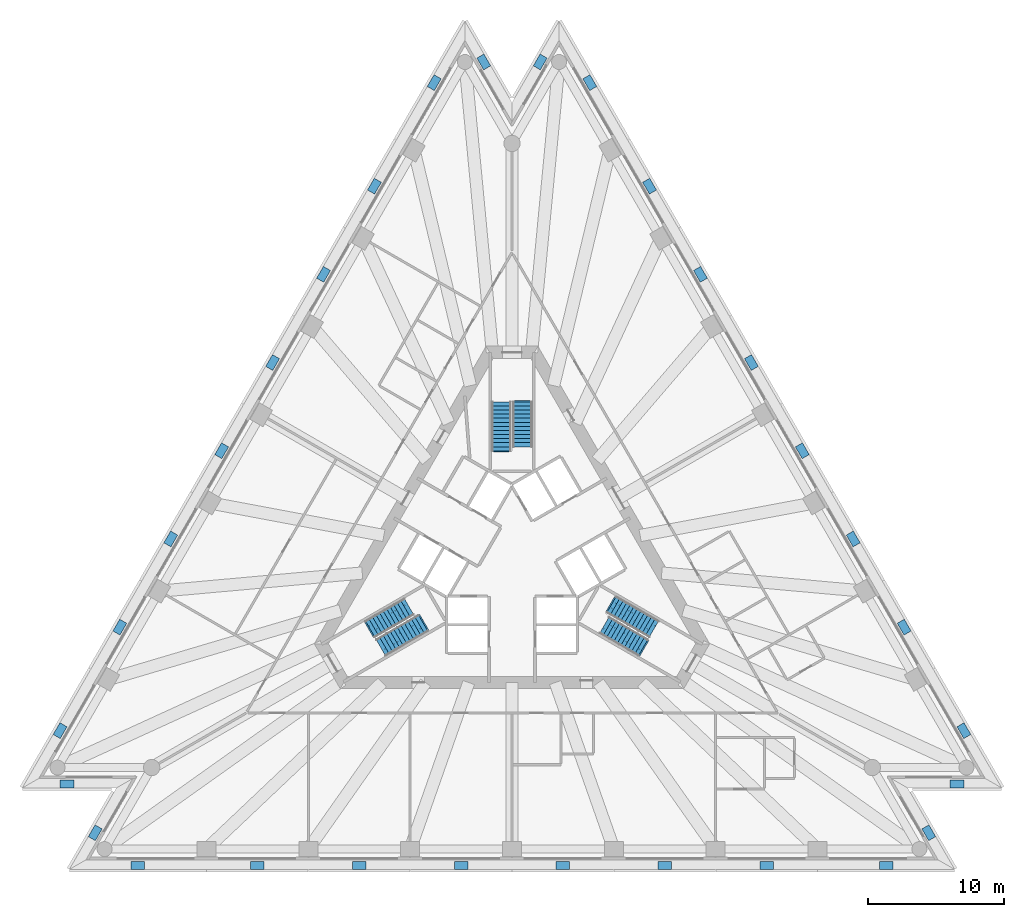
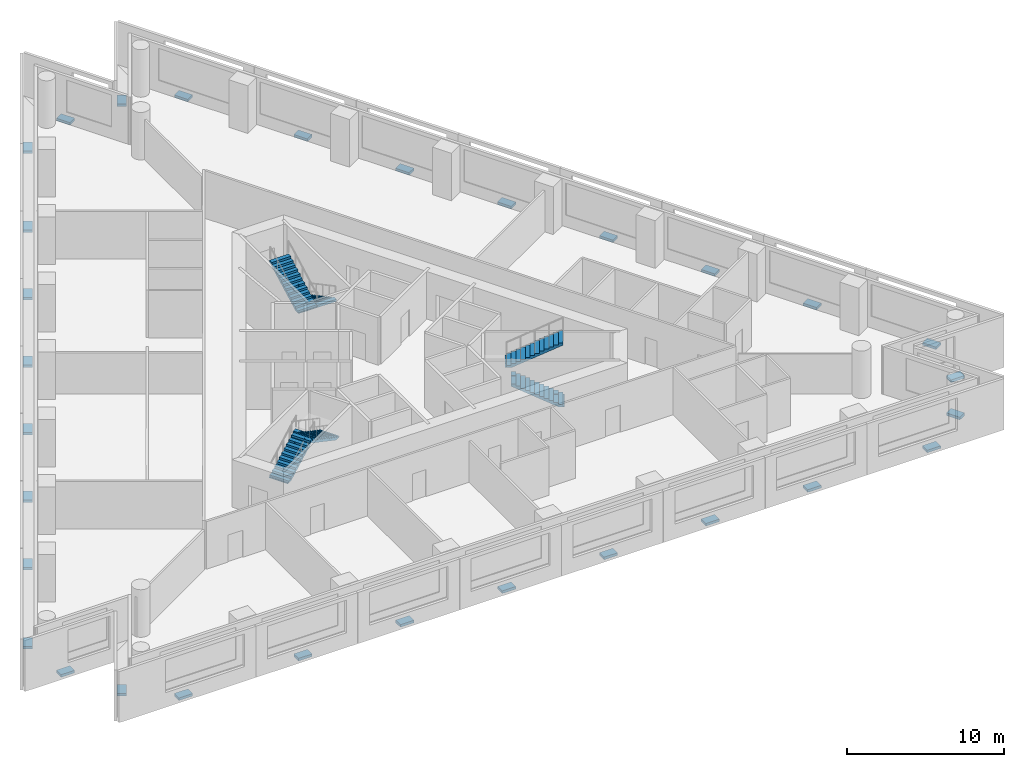
# One storey, part 7 of 9: 30 discrete accessories, 6 stair flights, 3 elements without a shape of their own.
"""IFC4 building model written with IfcOpenShell, lengths in metres."""

from ifc_helpers import new_model, si_unit, direction, frame, origin, origin_2d, place, context, subcontext, project, spatial, polyline, rectangle, outline, extrude, material, type_object, element, aggregate, save


model = new_model("IFC4")

# Units and contexts
model_context = context("Model", 3, precision=1e-05, world=origin(), true_north=direction((0.0, 1.0)))
body_context = subcontext(model_context, "Body", "Model", "MODEL_VIEW")
ifc_project = project(units=[si_unit("LENGTHUNIT", "METRE"), si_unit("AREAUNIT", "SQUARE_METRE"), si_unit("VOLUMEUNIT", "CUBIC_METRE"), si_unit("PLANEANGLEUNIT", "RADIAN"), si_unit("MASSUNIT", "GRAM", prefix="KILO")], contexts=[model_context])

# Site, building, storey
site_placement = place(None, origin())
site = spatial("IfcSite", under=ifc_project, at=site_placement, CompositionType="ELEMENT")
building_placement = place(site_placement, origin())
building = spatial("IfcBuilding", under=site, at=building_placement, Name="Triada Interchange Tower", CompositionType="ELEMENT")
storey_placement = place(building_placement, frame((0.0, 0.0, 47.300048828125)))
storey = spatial("IfcBuildingStorey", under=building, at=storey_placement, Name="L09", CompositionType="ELEMENT", Elevation=47.300048828125)

# Stair, stair flights
ifc_material_1 = material(Name="Concrete C35/45", Category="concrete")
stair_type = type_object("IfcStairType", Name="HALF TURN STAIR 1400", PredefinedType="HALF_TURN_STAIR", material=ifc_material_1)
stair_1_placement = place(storey_placement, origin())
stair_1 = element("IfcStair", 1, at=stair_1_placement, inside=storey, type_object=stair_type, Name="Exit stair S09-1", PredefinedType="HALF_TURN_STAIR")
stair_flight_type = type_object("IfcStairFlightType", Name="STRAIGHT STAIR FLIGHT 1400", PredefinedType="STRAIGHT", material=ifc_material_1)
stair_flight_1_placement = place(storey_placement, frame((0.800048828125, 11.60009765625, 0.0), z_axis=(0.0, 0.0, 1.0), x_axis=(0.0, -1.0, 0.0)))
stair_flight_1 = element("IfcStairFlight", 2, at=stair_flight_1_placement, type_object=stair_flight_type, Name="S09-1 flight 1", NumberOfRisers=12, NumberOfTreads=11, PredefinedType="STRAIGHT", RiserHeight=0.16, TreadLength=0.3, context=body_context, shape_type="SweptSolid", body=[
    extrude(outline(polyline([(-0.10009765625, 0.0), (-0.10009765625, 0.02001953125), (0.0, 0.02001953125), (0.0, 0.159912109375), (0.300048828125, 0.159912109375), (0.300048828125, 0.320068359375), (0.60009765625, 0.320068359375), (0.60009765625, 0.47998046875), (0.89990234375, 0.47998046875), (0.89990234375, 0.639892578125), (1.199951171875, 0.639892578125), (1.199951171875, 0.800048828125), (1.5, 0.800048828125), (1.5, 0.9599609375), (1.800048828125, 0.9599609375), (1.800048828125, 1.1201171875), (2.10009765625, 1.1201171875), (2.10009765625, 1.280029296875), (2.39990234375, 1.280029296875), (2.39990234375, 1.43994140625), (2.699951171875, 1.43994140625), (2.699951171875, 1.60009765625), (3.0, 1.60009765625), (3.0, 1.760009765625), (3.300048828125, 1.760009765625), (3.303955078125, 1.760009765625), (3.303955078125, 1.919921875), (3.303955078125, 1.590087890625), (0.318603515625, 0.0), (-0.10009765625, 0.0)])), frame((0.0, 0.699951171875, 0.0), z_axis=(0.0, -1.0, 0.0), x_axis=(1.0, 0.0, 0.0)), (0.0, 0.0, 1.0), 0.46533203125),
    extrude(outline(polyline([(-0.10009765625, 0.0), (-0.10009765625, 0.02001953125), (0.0, 0.02001953125), (0.0, 0.159912109375), (0.300048828125, 0.159912109375), (0.300048828125, 0.320068359375), (0.60009765625, 0.320068359375), (0.60009765625, 0.47998046875), (0.89990234375, 0.47998046875), (0.89990234375, 0.639892578125), (1.199951171875, 0.639892578125), (1.199951171875, 0.800048828125), (1.5, 0.800048828125), (1.5, 0.9599609375), (1.800048828125, 0.9599609375), (1.800048828125, 1.1201171875), (2.10009765625, 1.1201171875), (2.10009765625, 1.280029296875), (2.39990234375, 1.280029296875), (2.39990234375, 1.43994140625), (2.699951171875, 1.43994140625), (2.699951171875, 1.60009765625), (3.0, 1.60009765625), (3.0, 1.760009765625), (3.300048828125, 1.760009765625), (3.303955078125, 1.760009765625), (3.303955078125, 1.919921875), (3.303955078125, 1.590087890625), (0.318603515625, 0.0), (-0.10009765625, 0.0)])), frame((0.0, 0.232666015625, 0.0), z_axis=(0.0, -1.0, 0.0), x_axis=(1.0, 0.0, 0.0)), (0.0, 0.0, 1.0), 0.46533203125),
    extrude(outline(polyline([(-0.10009765625, 0.0), (-0.10009765625, 0.02001953125), (0.0, 0.02001953125), (0.0, 0.159912109375), (0.300048828125, 0.159912109375), (0.300048828125, 0.320068359375), (0.60009765625, 0.320068359375), (0.60009765625, 0.47998046875), (0.89990234375, 0.47998046875), (0.89990234375, 0.639892578125), (1.199951171875, 0.639892578125), (1.199951171875, 0.800048828125), (1.5, 0.800048828125), (1.5, 0.9599609375), (1.800048828125, 0.9599609375), (1.800048828125, 1.1201171875), (2.10009765625, 1.1201171875), (2.10009765625, 1.280029296875), (2.39990234375, 1.280029296875), (2.39990234375, 1.43994140625), (2.699951171875, 1.43994140625), (2.699951171875, 1.60009765625), (3.0, 1.60009765625), (3.0, 1.760009765625), (3.300048828125, 1.760009765625), (3.303955078125, 1.760009765625), (3.303955078125, 1.919921875), (3.303955078125, 1.590087890625), (0.318603515625, 0.0), (-0.10009765625, 0.0)])), frame((0.0, -0.234619140625, 0.0), z_axis=(0.0, -1.0, 0.0), x_axis=(1.0, 0.0, 0.0)), (0.0, 0.0, 1.0), 0.46533203125),
])
stair_flight_2_placement = place(storey_placement, frame((-0.800048828125, 8.0, 1.919921875), z_axis=(0.0, 0.0, 1.0), x_axis=(0.0, 1.0, 0.0)))
stair_flight_2 = element("IfcStairFlight", 3, at=stair_flight_2_placement, type_object=stair_flight_type, Name="S09-1 flight 2", NumberOfRisers=13, NumberOfTreads=12, PredefinedType="STRAIGHT", RiserHeight=0.16, TreadLength=0.3, context=body_context, shape_type="SweptSolid", body=[
    extrude(outline(polyline([(-0.10009765625, 0.0), (-0.10009765625, 0.02001953125), (0.0, 0.02001953125), (0.0, 0.159912109375), (0.300048828125, 0.159912109375), (0.300048828125, 0.320068359375), (0.60009765625, 0.320068359375), (0.60009765625, 0.47998046875), (0.89990234375, 0.47998046875), (0.89990234375, 0.639892578125), (1.199951171875, 0.639892578125), (1.199951171875, 0.800048828125), (1.5, 0.800048828125), (1.5, 0.9599609375), (1.800048828125, 0.9599609375), (1.800048828125, 1.1201171875), (2.10009765625, 1.1201171875), (2.10009765625, 1.280029296875), (2.39990234375, 1.280029296875), (2.39990234375, 1.43994140625), (2.699951171875, 1.43994140625), (2.699951171875, 1.60009765625), (3.0, 1.60009765625), (3.0, 1.760009765625), (3.300048828125, 1.760009765625), (3.300048828125, 1.919921875), (3.60009765625, 1.919921875), (3.60400390625, 1.919921875), (3.60400390625, 2.080078125), (3.60400390625, 1.75), (0.318603515625, 0.0), (-0.10009765625, 0.0)])), frame((0.0, 0.699951171875, 0.0), z_axis=(0.0, -1.0, 0.0), x_axis=(1.0, 0.0, 0.0)), (0.0, 0.0, 1.0), 0.46533203125),
    extrude(outline(polyline([(-0.10009765625, 0.0), (-0.10009765625, 0.02001953125), (0.0, 0.02001953125), (0.0, 0.159912109375), (0.300048828125, 0.159912109375), (0.300048828125, 0.320068359375), (0.60009765625, 0.320068359375), (0.60009765625, 0.47998046875), (0.89990234375, 0.47998046875), (0.89990234375, 0.639892578125), (1.199951171875, 0.639892578125), (1.199951171875, 0.800048828125), (1.5, 0.800048828125), (1.5, 0.9599609375), (1.800048828125, 0.9599609375), (1.800048828125, 1.1201171875), (2.10009765625, 1.1201171875), (2.10009765625, 1.280029296875), (2.39990234375, 1.280029296875), (2.39990234375, 1.43994140625), (2.699951171875, 1.43994140625), (2.699951171875, 1.60009765625), (3.0, 1.60009765625), (3.0, 1.760009765625), (3.300048828125, 1.760009765625), (3.300048828125, 1.919921875), (3.60009765625, 1.919921875), (3.60400390625, 1.919921875), (3.60400390625, 2.080078125), (3.60400390625, 1.75), (0.318603515625, 0.0), (-0.10009765625, 0.0)])), frame((0.0, 0.232666015625, 0.0), z_axis=(0.0, -1.0, 0.0), x_axis=(1.0, 0.0, 0.0)), (0.0, 0.0, 1.0), 0.46533203125),
    extrude(outline(polyline([(-0.10009765625, 0.0), (-0.10009765625, 0.02001953125), (0.0, 0.02001953125), (0.0, 0.159912109375), (0.300048828125, 0.159912109375), (0.300048828125, 0.320068359375), (0.60009765625, 0.320068359375), (0.60009765625, 0.47998046875), (0.89990234375, 0.47998046875), (0.89990234375, 0.639892578125), (1.199951171875, 0.639892578125), (1.199951171875, 0.800048828125), (1.5, 0.800048828125), (1.5, 0.9599609375), (1.800048828125, 0.9599609375), (1.800048828125, 1.1201171875), (2.10009765625, 1.1201171875), (2.10009765625, 1.280029296875), (2.39990234375, 1.280029296875), (2.39990234375, 1.43994140625), (2.699951171875, 1.43994140625), (2.699951171875, 1.60009765625), (3.0, 1.60009765625), (3.0, 1.760009765625), (3.300048828125, 1.760009765625), (3.300048828125, 1.919921875), (3.60009765625, 1.919921875), (3.60400390625, 1.919921875), (3.60400390625, 2.080078125), (3.60400390625, 1.75), (0.318603515625, 0.0), (-0.10009765625, 0.0)])), frame((0.0, -0.234619140625, 0.0), z_axis=(0.0, -1.0, 0.0), x_axis=(1.0, 0.0, 0.0)), (0.0, 0.0, 1.0), 0.46533203125),
])
aggregate(stair_1, [stair_flight_1, stair_flight_2])

stair_2_placement = place(storey_placement, origin())
stair_2 = element("IfcStair", 4, at=stair_2_placement, inside=storey, type_object=stair_type, Name="Exit stair S09-2", PredefinedType="HALF_TURN_STAIR")
stair_flight_3_placement = place(storey_placement, frame((-10.446044921875, -5.10693359375, 0.0), z_axis=(0.0, 0.0, 1.0), x_axis=(0.866025403784, 0.5, 0.0)))
stair_flight_3 = element("IfcStairFlight", 5, at=stair_flight_3_placement, type_object=stair_flight_type, Name="S09-2 flight 1", NumberOfRisers=12, NumberOfTreads=11, PredefinedType="STRAIGHT", RiserHeight=0.16, TreadLength=0.3, context=body_context, shape_type="SweptSolid", body=[
    extrude(outline(polyline([(-0.10009765625, 0.0), (-0.10009765625, 0.02001953125), (0.0, 0.02001953125), (0.0, 0.159912109375), (0.300048828125, 0.159912109375), (0.300048828125, 0.320068359375), (0.60009765625, 0.320068359375), (0.60009765625, 0.47998046875), (0.89990234375, 0.47998046875), (0.89990234375, 0.639892578125), (1.199951171875, 0.639892578125), (1.199951171875, 0.800048828125), (1.5, 0.800048828125), (1.5, 0.9599609375), (1.800048828125, 0.9599609375), (1.800048828125, 1.1201171875), (2.10009765625, 1.1201171875), (2.10009765625, 1.280029296875), (2.39990234375, 1.280029296875), (2.39990234375, 1.43994140625), (2.699951171875, 1.43994140625), (2.699951171875, 1.60009765625), (3.0, 1.60009765625), (3.0, 1.760009765625), (3.300048828125, 1.760009765625), (3.303955078125, 1.760009765625), (3.303955078125, 1.919921875), (3.303955078125, 1.590087890625), (0.318603515625, 0.0), (-0.10009765625, 0.0)])), frame((0.0, 0.699951171875, 0.0), z_axis=(0.0, -1.0, 0.0), x_axis=(1.0, 0.0, 0.0)), (0.0, 0.0, 1.0), 0.46533203125),
    extrude(outline(polyline([(-0.10009765625, 0.0), (-0.10009765625, 0.02001953125), (0.0, 0.02001953125), (0.0, 0.159912109375), (0.300048828125, 0.159912109375), (0.300048828125, 0.320068359375), (0.60009765625, 0.320068359375), (0.60009765625, 0.47998046875), (0.89990234375, 0.47998046875), (0.89990234375, 0.639892578125), (1.199951171875, 0.639892578125), (1.199951171875, 0.800048828125), (1.5, 0.800048828125), (1.5, 0.9599609375), (1.800048828125, 0.9599609375), (1.800048828125, 1.1201171875), (2.10009765625, 1.1201171875), (2.10009765625, 1.280029296875), (2.39990234375, 1.280029296875), (2.39990234375, 1.43994140625), (2.699951171875, 1.43994140625), (2.699951171875, 1.60009765625), (3.0, 1.60009765625), (3.0, 1.760009765625), (3.300048828125, 1.760009765625), (3.303955078125, 1.760009765625), (3.303955078125, 1.919921875), (3.303955078125, 1.590087890625), (0.318603515625, 0.0), (-0.10009765625, 0.0)])), frame((0.0, 0.232666015625, 0.0), z_axis=(0.0, -1.0, 0.0), x_axis=(1.0, 0.0, 0.0)), (0.0, 0.0, 1.0), 0.46533203125),
    extrude(outline(polyline([(-0.10009765625, 0.0), (-0.10009765625, 0.02001953125), (0.0, 0.02001953125), (0.0, 0.159912109375), (0.300048828125, 0.159912109375), (0.300048828125, 0.320068359375), (0.60009765625, 0.320068359375), (0.60009765625, 0.47998046875), (0.89990234375, 0.47998046875), (0.89990234375, 0.639892578125), (1.199951171875, 0.639892578125), (1.199951171875, 0.800048828125), (1.5, 0.800048828125), (1.5, 0.9599609375), (1.800048828125, 0.9599609375), (1.800048828125, 1.1201171875), (2.10009765625, 1.1201171875), (2.10009765625, 1.280029296875), (2.39990234375, 1.280029296875), (2.39990234375, 1.43994140625), (2.699951171875, 1.43994140625), (2.699951171875, 1.60009765625), (3.0, 1.60009765625), (3.0, 1.760009765625), (3.300048828125, 1.760009765625), (3.303955078125, 1.760009765625), (3.303955078125, 1.919921875), (3.303955078125, 1.590087890625), (0.318603515625, 0.0), (-0.10009765625, 0.0)])), frame((0.0, -0.234619140625, 0.0), z_axis=(0.0, -1.0, 0.0), x_axis=(1.0, 0.0, 0.0)), (0.0, 0.0, 1.0), 0.46533203125),
])
stair_flight_4_placement = place(storey_placement, frame((-6.528076171875, -4.693115234375, 1.919921875), z_axis=(0.0, 0.0, 1.0), x_axis=(-0.866025403784, -0.5, 0.0)))
stair_flight_4 = element("IfcStairFlight", 6, at=stair_flight_4_placement, type_object=stair_flight_type, Name="S09-2 flight 2", NumberOfRisers=13, NumberOfTreads=12, PredefinedType="STRAIGHT", RiserHeight=0.16, TreadLength=0.3, context=body_context, shape_type="SweptSolid", body=[
    extrude(outline(polyline([(-0.10009765625, 0.0), (-0.10009765625, 0.02001953125), (0.0, 0.02001953125), (0.0, 0.159912109375), (0.300048828125, 0.159912109375), (0.300048828125, 0.320068359375), (0.60009765625, 0.320068359375), (0.60009765625, 0.47998046875), (0.89990234375, 0.47998046875), (0.89990234375, 0.639892578125), (1.199951171875, 0.639892578125), (1.199951171875, 0.800048828125), (1.5, 0.800048828125), (1.5, 0.9599609375), (1.800048828125, 0.9599609375), (1.800048828125, 1.1201171875), (2.10009765625, 1.1201171875), (2.10009765625, 1.280029296875), (2.39990234375, 1.280029296875), (2.39990234375, 1.43994140625), (2.699951171875, 1.43994140625), (2.699951171875, 1.60009765625), (3.0, 1.60009765625), (3.0, 1.760009765625), (3.300048828125, 1.760009765625), (3.300048828125, 1.919921875), (3.60009765625, 1.919921875), (3.60400390625, 1.919921875), (3.60400390625, 2.080078125), (3.60400390625, 1.75), (0.318603515625, 0.0), (-0.10009765625, 0.0)])), frame((0.0, 0.699951171875, 0.0), z_axis=(0.0, -1.0, 0.0), x_axis=(1.0, 0.0, 0.0)), (0.0, 0.0, 1.0), 0.46533203125),
    extrude(outline(polyline([(-0.10009765625, 0.0), (-0.10009765625, 0.02001953125), (0.0, 0.02001953125), (0.0, 0.159912109375), (0.300048828125, 0.159912109375), (0.300048828125, 0.320068359375), (0.60009765625, 0.320068359375), (0.60009765625, 0.47998046875), (0.89990234375, 0.47998046875), (0.89990234375, 0.639892578125), (1.199951171875, 0.639892578125), (1.199951171875, 0.800048828125), (1.5, 0.800048828125), (1.5, 0.9599609375), (1.800048828125, 0.9599609375), (1.800048828125, 1.1201171875), (2.10009765625, 1.1201171875), (2.10009765625, 1.280029296875), (2.39990234375, 1.280029296875), (2.39990234375, 1.43994140625), (2.699951171875, 1.43994140625), (2.699951171875, 1.60009765625), (3.0, 1.60009765625), (3.0, 1.760009765625), (3.300048828125, 1.760009765625), (3.300048828125, 1.919921875), (3.60009765625, 1.919921875), (3.60400390625, 1.919921875), (3.60400390625, 2.080078125), (3.60400390625, 1.75), (0.318603515625, 0.0), (-0.10009765625, 0.0)])), frame((0.0, 0.232666015625, 0.0), z_axis=(0.0, -1.0, 0.0), x_axis=(1.0, 0.0, 0.0)), (0.0, 0.0, 1.0), 0.46533203125),
    extrude(outline(polyline([(-0.10009765625, 0.0), (-0.10009765625, 0.02001953125), (0.0, 0.02001953125), (0.0, 0.159912109375), (0.300048828125, 0.159912109375), (0.300048828125, 0.320068359375), (0.60009765625, 0.320068359375), (0.60009765625, 0.47998046875), (0.89990234375, 0.47998046875), (0.89990234375, 0.639892578125), (1.199951171875, 0.639892578125), (1.199951171875, 0.800048828125), (1.5, 0.800048828125), (1.5, 0.9599609375), (1.800048828125, 0.9599609375), (1.800048828125, 1.1201171875), (2.10009765625, 1.1201171875), (2.10009765625, 1.280029296875), (2.39990234375, 1.280029296875), (2.39990234375, 1.43994140625), (2.699951171875, 1.43994140625), (2.699951171875, 1.60009765625), (3.0, 1.60009765625), (3.0, 1.760009765625), (3.300048828125, 1.760009765625), (3.300048828125, 1.919921875), (3.60009765625, 1.919921875), (3.60400390625, 1.919921875), (3.60400390625, 2.080078125), (3.60400390625, 1.75), (0.318603515625, 0.0), (-0.10009765625, 0.0)])), frame((0.0, -0.234619140625, 0.0), z_axis=(0.0, -1.0, 0.0), x_axis=(1.0, 0.0, 0.0)), (0.0, 0.0, 1.0), 0.46533203125),
])
aggregate(stair_2, [stair_flight_3, stair_flight_4])

stair_3_placement = place(storey_placement, origin())
stair_3 = element("IfcStair", 7, at=stair_3_placement, inside=storey, type_object=stair_type, Name="Exit stair S09-3", PredefinedType="HALF_TURN_STAIR")
stair_flight_5_placement = place(storey_placement, frame((9.64599609375, -6.492919921875, 0.0), z_axis=(0.0, 0.0, 1.0), x_axis=(-0.866025403784, 0.5, 0.0)))
stair_flight_5 = element("IfcStairFlight", 8, at=stair_flight_5_placement, type_object=stair_flight_type, Name="S09-3 flight 1", NumberOfRisers=12, NumberOfTreads=11, PredefinedType="STRAIGHT", RiserHeight=0.16, TreadLength=0.3, context=body_context, shape_type="SweptSolid", body=[
    extrude(outline(polyline([(-0.10009765625, 0.0), (-0.10009765625, 0.02001953125), (0.0, 0.02001953125), (0.0, 0.159912109375), (0.300048828125, 0.159912109375), (0.300048828125, 0.320068359375), (0.60009765625, 0.320068359375), (0.60009765625, 0.47998046875), (0.89990234375, 0.47998046875), (0.89990234375, 0.639892578125), (1.199951171875, 0.639892578125), (1.199951171875, 0.800048828125), (1.5, 0.800048828125), (1.5, 0.9599609375), (1.800048828125, 0.9599609375), (1.800048828125, 1.1201171875), (2.10009765625, 1.1201171875), (2.10009765625, 1.280029296875), (2.39990234375, 1.280029296875), (2.39990234375, 1.43994140625), (2.699951171875, 1.43994140625), (2.699951171875, 1.60009765625), (3.0, 1.60009765625), (3.0, 1.760009765625), (3.300048828125, 1.760009765625), (3.303955078125, 1.760009765625), (3.303955078125, 1.919921875), (3.303955078125, 1.590087890625), (0.318603515625, 0.0), (-0.10009765625, 0.0)])), frame((0.0, 0.699951171875, 0.0), z_axis=(0.0, -1.0, 0.0), x_axis=(1.0, 0.0, 0.0)), (0.0, 0.0, 1.0), 0.46533203125),
    extrude(outline(polyline([(-0.10009765625, 0.0), (-0.10009765625, 0.02001953125), (0.0, 0.02001953125), (0.0, 0.159912109375), (0.300048828125, 0.159912109375), (0.300048828125, 0.320068359375), (0.60009765625, 0.320068359375), (0.60009765625, 0.47998046875), (0.89990234375, 0.47998046875), (0.89990234375, 0.639892578125), (1.199951171875, 0.639892578125), (1.199951171875, 0.800048828125), (1.5, 0.800048828125), (1.5, 0.9599609375), (1.800048828125, 0.9599609375), (1.800048828125, 1.1201171875), (2.10009765625, 1.1201171875), (2.10009765625, 1.280029296875), (2.39990234375, 1.280029296875), (2.39990234375, 1.43994140625), (2.699951171875, 1.43994140625), (2.699951171875, 1.60009765625), (3.0, 1.60009765625), (3.0, 1.760009765625), (3.300048828125, 1.760009765625), (3.303955078125, 1.760009765625), (3.303955078125, 1.919921875), (3.303955078125, 1.590087890625), (0.318603515625, 0.0), (-0.10009765625, 0.0)])), frame((0.0, 0.232666015625, 0.0), z_axis=(0.0, -1.0, 0.0), x_axis=(1.0, 0.0, 0.0)), (0.0, 0.0, 1.0), 0.46533203125),
    extrude(outline(polyline([(-0.10009765625, 0.0), (-0.10009765625, 0.02001953125), (0.0, 0.02001953125), (0.0, 0.159912109375), (0.300048828125, 0.159912109375), (0.300048828125, 0.320068359375), (0.60009765625, 0.320068359375), (0.60009765625, 0.47998046875), (0.89990234375, 0.47998046875), (0.89990234375, 0.639892578125), (1.199951171875, 0.639892578125), (1.199951171875, 0.800048828125), (1.5, 0.800048828125), (1.5, 0.9599609375), (1.800048828125, 0.9599609375), (1.800048828125, 1.1201171875), (2.10009765625, 1.1201171875), (2.10009765625, 1.280029296875), (2.39990234375, 1.280029296875), (2.39990234375, 1.43994140625), (2.699951171875, 1.43994140625), (2.699951171875, 1.60009765625), (3.0, 1.60009765625), (3.0, 1.760009765625), (3.300048828125, 1.760009765625), (3.303955078125, 1.760009765625), (3.303955078125, 1.919921875), (3.303955078125, 1.590087890625), (0.318603515625, 0.0), (-0.10009765625, 0.0)])), frame((0.0, -0.234619140625, 0.0), z_axis=(0.0, -1.0, 0.0), x_axis=(1.0, 0.0, 0.0)), (0.0, 0.0, 1.0), 0.46533203125),
])
stair_flight_6_placement = place(storey_placement, frame((7.327880859375, -3.306884765625, 1.919921875), z_axis=(0.0, 0.0, 1.0), x_axis=(0.866025403784, -0.5, 0.0)))
stair_flight_6 = element("IfcStairFlight", 9, at=stair_flight_6_placement, type_object=stair_flight_type, Name="S09-3 flight 2", NumberOfRisers=13, NumberOfTreads=12, PredefinedType="STRAIGHT", RiserHeight=0.16, TreadLength=0.3, context=body_context, shape_type="SweptSolid", body=[
    extrude(outline(polyline([(-0.10009765625, 0.0), (-0.10009765625, 0.02001953125), (0.0, 0.02001953125), (0.0, 0.159912109375), (0.300048828125, 0.159912109375), (0.300048828125, 0.320068359375), (0.60009765625, 0.320068359375), (0.60009765625, 0.47998046875), (0.89990234375, 0.47998046875), (0.89990234375, 0.639892578125), (1.199951171875, 0.639892578125), (1.199951171875, 0.800048828125), (1.5, 0.800048828125), (1.5, 0.9599609375), (1.800048828125, 0.9599609375), (1.800048828125, 1.1201171875), (2.10009765625, 1.1201171875), (2.10009765625, 1.280029296875), (2.39990234375, 1.280029296875), (2.39990234375, 1.43994140625), (2.699951171875, 1.43994140625), (2.699951171875, 1.60009765625), (3.0, 1.60009765625), (3.0, 1.760009765625), (3.300048828125, 1.760009765625), (3.300048828125, 1.919921875), (3.60009765625, 1.919921875), (3.60400390625, 1.919921875), (3.60400390625, 2.080078125), (3.60400390625, 1.75), (0.318603515625, 0.0), (-0.10009765625, 0.0)])), frame((0.0, 0.699951171875, 0.0), z_axis=(0.0, -1.0, 0.0), x_axis=(1.0, 0.0, 0.0)), (0.0, 0.0, 1.0), 0.46533203125),
    extrude(outline(polyline([(-0.10009765625, 0.0), (-0.10009765625, 0.02001953125), (0.0, 0.02001953125), (0.0, 0.159912109375), (0.300048828125, 0.159912109375), (0.300048828125, 0.320068359375), (0.60009765625, 0.320068359375), (0.60009765625, 0.47998046875), (0.89990234375, 0.47998046875), (0.89990234375, 0.639892578125), (1.199951171875, 0.639892578125), (1.199951171875, 0.800048828125), (1.5, 0.800048828125), (1.5, 0.9599609375), (1.800048828125, 0.9599609375), (1.800048828125, 1.1201171875), (2.10009765625, 1.1201171875), (2.10009765625, 1.280029296875), (2.39990234375, 1.280029296875), (2.39990234375, 1.43994140625), (2.699951171875, 1.43994140625), (2.699951171875, 1.60009765625), (3.0, 1.60009765625), (3.0, 1.760009765625), (3.300048828125, 1.760009765625), (3.300048828125, 1.919921875), (3.60009765625, 1.919921875), (3.60400390625, 1.919921875), (3.60400390625, 2.080078125), (3.60400390625, 1.75), (0.318603515625, 0.0), (-0.10009765625, 0.0)])), frame((0.0, 0.232666015625, 0.0), z_axis=(0.0, -1.0, 0.0), x_axis=(1.0, 0.0, 0.0)), (0.0, 0.0, 1.0), 0.46533203125),
    extrude(outline(polyline([(-0.10009765625, 0.0), (-0.10009765625, 0.02001953125), (0.0, 0.02001953125), (0.0, 0.159912109375), (0.300048828125, 0.159912109375), (0.300048828125, 0.320068359375), (0.60009765625, 0.320068359375), (0.60009765625, 0.47998046875), (0.89990234375, 0.47998046875), (0.89990234375, 0.639892578125), (1.199951171875, 0.639892578125), (1.199951171875, 0.800048828125), (1.5, 0.800048828125), (1.5, 0.9599609375), (1.800048828125, 0.9599609375), (1.800048828125, 1.1201171875), (2.10009765625, 1.1201171875), (2.10009765625, 1.280029296875), (2.39990234375, 1.280029296875), (2.39990234375, 1.43994140625), (2.699951171875, 1.43994140625), (2.699951171875, 1.60009765625), (3.0, 1.60009765625), (3.0, 1.760009765625), (3.300048828125, 1.760009765625), (3.300048828125, 1.919921875), (3.60009765625, 1.919921875), (3.60400390625, 1.919921875), (3.60400390625, 2.080078125), (3.60400390625, 1.75), (0.318603515625, 0.0), (-0.10009765625, 0.0)])), frame((0.0, -0.234619140625, 0.0), z_axis=(0.0, -1.0, 0.0), x_axis=(1.0, 0.0, 0.0)), (0.0, 0.0, 1.0), 0.46533203125),
])
aggregate(stair_3, [stair_flight_5, stair_flight_6])

# Discrete accessories
ifc_material_2 = material(Name="Steel S355", Category="steel")
discrete_accessory_type = type_object("IfcDiscreteAccessoryType", Name="Steel bracket outer skin", PredefinedType="BRACKET", material=ifc_material_2)
for number, where, z_axis, x_axis, name in (
    (10, (-5.72607421875, 35.096923828125, -0.27001953125), (0.0, 0.0, 1.0), (-0.866025866296, 0.499999198905, 0.0), "Bracket L09 01"),
    (11, (-10.123046875, 27.48095703125, -0.27001953125), (0.0, 0.0, 1.0), (-0.866025866296, 0.499999198905, 0.0), "Bracket L09 02"),
    (12, (-13.8701171875, 20.989990234375, -0.27001953125), (0.0, 0.0, 1.0), (-0.866025866296, 0.499999198905, 0.0), "Bracket L09 03"),
    (13, (-17.617919921875, 14.4990234375, -0.27001953125), (0.0, 0.0, 1.0), (-0.866025866296, 0.499999198905, 0.0), "Bracket L09 04"),
    (14, (-21.365966796875, 8.008056640625, -0.27001953125), (0.0, 0.0, 1.0), (-0.866025866296, 0.499999198905, 0.0), "Bracket L09 05"),
    (15, (-25.113037109375, 1.51708984375, -0.27001953125), (0.0, 0.0, 1.0), (-0.866025866296, 0.499999198905, 0.0), "Bracket L09 06"),
    (16, (-28.861083984375, -4.97412109375, -0.27001953125), (0.0, 0.0, 1.0), (-0.866025866296, 0.499999198905, 0.0), "Bracket L09 07"),
    (17, (-33.258056640625, -12.590087890625, -0.27001953125), (0.0, 0.0, 1.0), (-0.866025866296, 0.499999198905, 0.0), "Bracket L09 08"),
    (18, (-32.751953125, -16.510986328125, -0.27001953125), (0.0, 0.0, 1.0), (0.0, -1.0, 0.0), "Bracket L09 09"),
    (19, (-30.675048828125, -20.10888671875, -0.27001953125), (0.0, 0.0, 1.0), (-0.866012409516, 0.500022506058, 0.0), "Bracket L09 10"),
    (20, (-27.531982421875, -22.507080078125, -0.27001953125), (0.0, 0.0, 1.0), (0.0, -1.0, 0.0), "Bracket L09 11"),
    (21, (-18.738037109375, -22.507080078125, -0.27001953125), (0.0, 0.0, 1.0), (0.0, -1.0, 0.0), "Bracket L09 12"),
    (22, (-11.242919921875, -22.507080078125, -0.27001953125), (0.0, 0.0, 1.0), (0.0, -1.0, 0.0), "Bracket L09 13"),
    (23, (-3.748046875, -22.507080078125, -0.27001953125), (0.0, 0.0, 1.0), (0.0, -1.0, 0.0), "Bracket L09 14"),
    (24, (3.748046875, -22.507080078125, -0.27001953125), (0.0, 0.0, 1.0), (0.0, -1.0, 0.0), "Bracket L09 15"),
    (25, (11.242919921875, -22.507080078125, -0.27001953125), (0.0, 0.0, 1.0), (0.0, -1.0, 0.0), "Bracket L09 16"),
    (26, (18.738037109375, -22.507080078125, -0.27001953125), (0.0, 0.0, 1.0), (0.0, -1.0, 0.0), "Bracket L09 17"),
    (27, (27.531982421875, -22.507080078125, -0.27001953125), (0.0, 0.0, 1.0), (0.0, -1.0, 0.0), "Bracket L09 18"),
    (28, (30.675048828125, -20.10888671875, -0.27001953125), (0.0, 0.0, 1.0), (0.866012409516, 0.500022506058, 0.0), "Bracket L09 19"),
    (29, (32.751953125, -16.510986328125, -0.27001953125), (0.0, 0.0, 1.0), (0.0, -1.0, 0.0), "Bracket L09 20"),
    (30, (33.258056640625, -12.590087890625, -0.27001953125), (0.0, 0.0, 1.0), (0.866025866296, 0.499999198905, 0.0), "Bracket L09 21"),
    (31, (28.861083984375, -4.97412109375, -0.27001953125), (0.0, 0.0, 1.0), (0.866025866296, 0.499999198905, 0.0), "Bracket L09 22"),
    (32, (25.113037109375, 1.51708984375, -0.27001953125), (0.0, 0.0, 1.0), (0.866025866296, 0.499999198905, 0.0), "Bracket L09 23"),
    (33, (21.365966796875, 8.008056640625, -0.27001953125), (0.0, 0.0, 1.0), (0.866025866296, 0.499999198905, 0.0), "Bracket L09 24"),
    (34, (17.617919921875, 14.4990234375, -0.27001953125), (0.0, 0.0, 1.0), (0.866025866296, 0.499999198905, 0.0), "Bracket L09 25"),
    (35, (13.8701171875, 20.989990234375, -0.27001953125), (0.0, 0.0, 1.0), (0.866025866296, 0.499999198905, 0.0), "Bracket L09 26"),
    (36, (10.123046875, 27.48095703125, -0.27001953125), (0.0, 0.0, 1.0), (0.866025866296, 0.499999198905, 0.0), "Bracket L09 27"),
    (37, (5.72607421875, 35.096923828125, -0.27001953125), (0.0, 0.0, 1.0), (0.866025866296, 0.499999198905, 0.0), "Bracket L09 28"),
    (38, (2.076904296875, 36.6201171875, -0.27001953125), (0.0, 0.0, 1.0), (-0.866012409516, 0.500022506058, 0.0), "Bracket L09 29"),
    (39, (-2.076904296875, 36.6201171875, -0.27001953125), (0.0, 0.0, 1.0), (0.866012409516, 0.500022506058, 0.0), "Bracket L09 30"),
):
    element("IfcDiscreteAccessory", number, at=place(storey_placement, frame(where, z_axis=z_axis, x_axis=x_axis)), inside=storey, type_object=discrete_accessory_type, Name=name, PredefinedType="BRACKET", context=body_context, shape_type="SweptSolid", body=[
        extrude(rectangle(XDim=0.60009765625, YDim=1.0, at=origin_2d()), origin(), (0.0, 0.0, 1.0), 0.199951171875),
    ])

save(model, "model.ifc")
